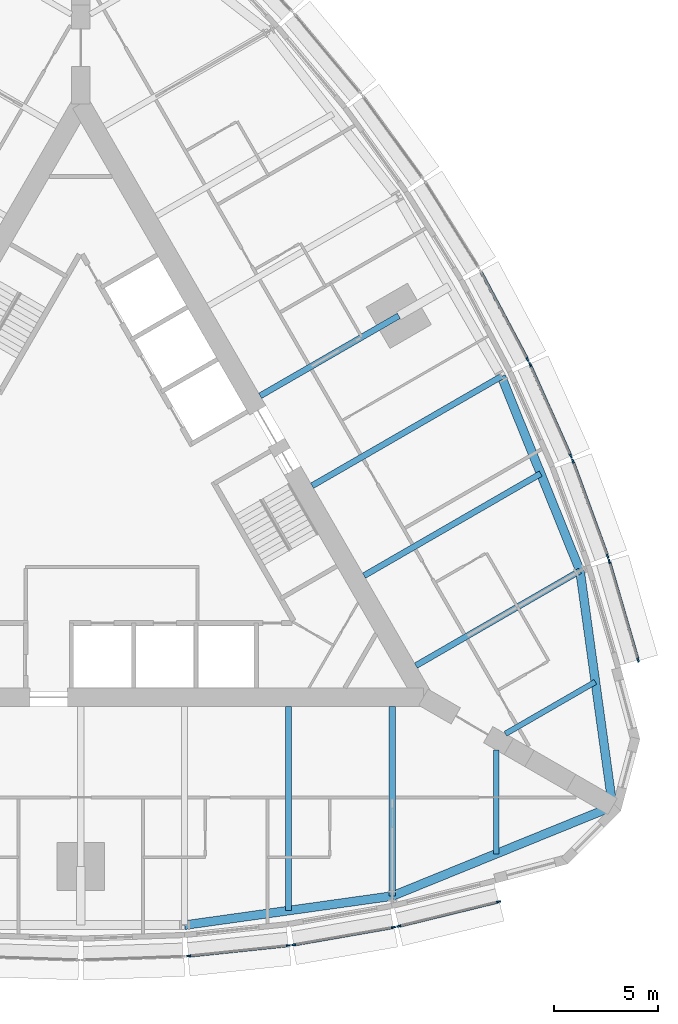
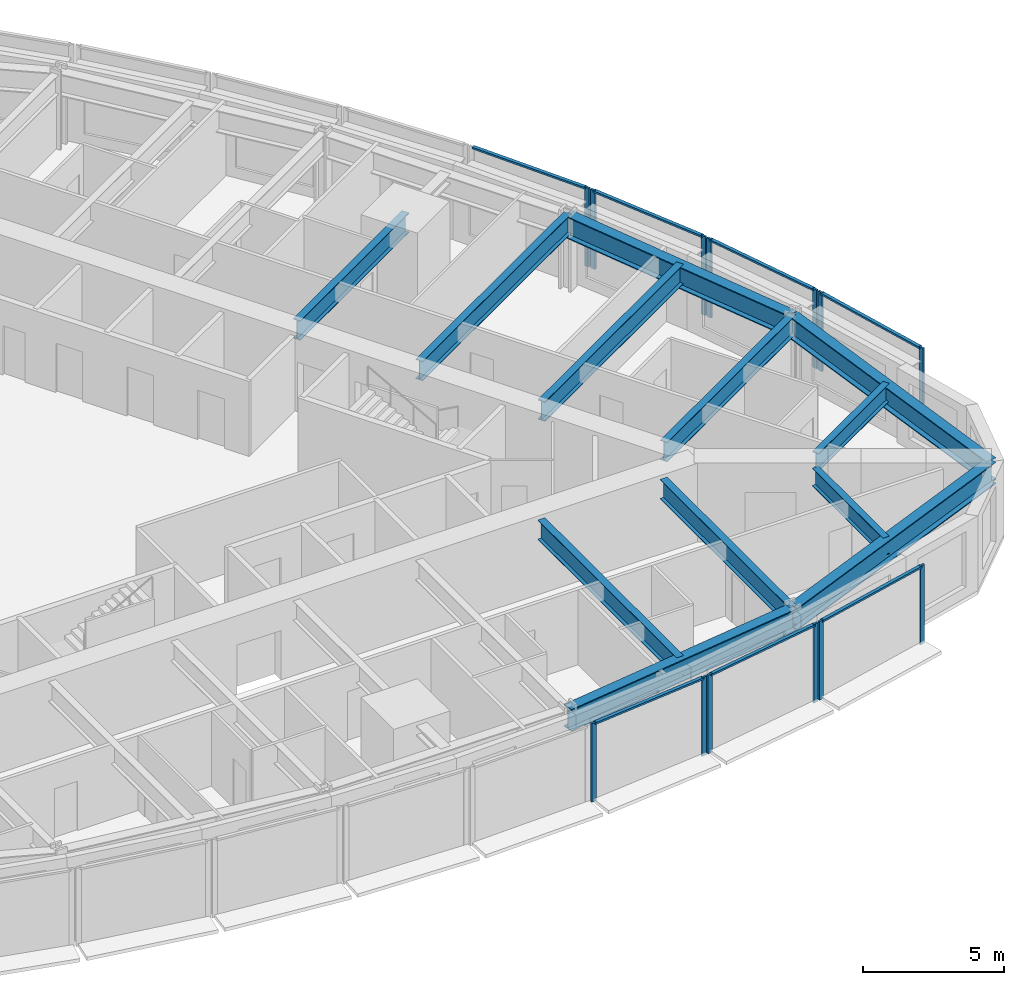
# One storey, part 3 of 14: 20 members, 12 beams, 7 elements without a shape of their own.
"""IFC4 building model written with IfcOpenShell, lengths in metres."""

from ifc_helpers import new_model, si_unit, direction, frame, origin, origin_2d, place, context, subcontext, project, spatial, rectangle, i_section, extrude, material, material_profile, profile_set, type_object, element, aggregate, save


model = new_model("IFC4")

# Units and contexts
model_context = context("Model", 3, precision=1e-05, world=origin(), true_north=direction((0.0, 1.0)))
body_context = subcontext(model_context, "Body", "Model", "MODEL_VIEW")
ifc_project = project(units=[si_unit("LENGTHUNIT", "METRE"), si_unit("AREAUNIT", "SQUARE_METRE"), si_unit("VOLUMEUNIT", "CUBIC_METRE"), si_unit("PLANEANGLEUNIT", "RADIAN"), si_unit("MASSUNIT", "GRAM", prefix="KILO")], contexts=[model_context])

# Site, building, storey
site_placement = place(None, origin())
site = spatial("IfcSite", under=ifc_project, at=site_placement, CompositionType="ELEMENT")
building_placement = place(site_placement, origin())
building = spatial("IfcBuilding", under=site, at=building_placement, Name="Trikona Tower", CompositionType="ELEMENT")
storey_placement = place(building_placement, frame((0.0, 0.0, 165.699951171875)))
storey = spatial("IfcBuildingStorey", under=building, at=storey_placement, Name="L44", CompositionType="ELEMENT", Elevation=165.699951171875)

# Curtain wall, members
ifc_material_1 = material(Name="Aluminium curtain wall system", Category="aluminium")
curtain_wall_type = type_object("IfcCurtainWallType", Name="Curtain wall DS2", PredefinedType="NOTDEFINED", material=ifc_material_1)
curtain_wall_1_placement = place(storey_placement, origin())
curtain_wall_1 = element("IfcCurtainWall", 1, at=curtain_wall_1_placement, inside=storey, type_object=curtain_wall_type, Name="Curtain wall DS2 L44", PredefinedType="NOTDEFINED")
ifc_material_2 = material(Name="Aluminium mullion, pale anodised", Category="aluminium")
ifc_material_profile_1 = material_profile(ifc_material_2, rectangle(XDim=0.080078125, YDim=0.199951171875, at=origin_2d()), Name="MUL-DS2")
ifc_profile_set_1 = profile_set([ifc_material_profile_1], Name="Aluminium mullion, pale anodised")
member_type_1 = type_object("IfcMemberType", Name="Mullion DS2 80x200", PredefinedType="MULLION", material=ifc_profile_set_1)
member_1_placement = place(storey_placement, frame((5.193359375, -21.98486328125, 0.0), z_axis=(0.0, 0.0, 1.0), x_axis=(-0.104433387357, 0.994531883654, 0.0)))
member_1 = element("IfcMember", 2, at=member_1_placement, type_object=member_type_1, Name="CW-DS2 mullion 1", PredefinedType="MULLION", context=body_context, shape_type="SweptSolid", body=[
    extrude(rectangle(XDim=0.080078125, YDim=0.199951171875, at=origin_2d()), origin(), (0.0, 0.0, 1.0), 3.400146484375),
])
member_2_placement = place(storey_placement, frame((9.99462890625, -21.480712890625, 0.0), z_axis=(0.0, 0.0, 1.0), x_axis=(-0.104433387357, 0.994531883654, 0.0)))
member_2 = element("IfcMember", 3, at=member_2_placement, type_object=member_type_1, Name="CW-DS2 mullion 2", PredefinedType="MULLION", context=body_context, shape_type="SweptSolid", body=[
    extrude(rectangle(XDim=0.080078125, YDim=0.199951171875, at=origin_2d()), origin(), (0.0, 0.0, 1.0), 3.400146484375),
])

curtain_wall_2_placement = place(storey_placement, origin())
curtain_wall_2 = element("IfcCurtainWall", 4, at=curtain_wall_2_placement, inside=storey, type_object=curtain_wall_type, Name="Curtain wall DS2 L44", PredefinedType="NOTDEFINED")
member_3_placement = place(storey_placement, frame((10.253662109375, -21.444580078125, 0.0), z_axis=(0.0, 0.0, 1.0), x_axis=(-0.17237739505, 0.985030981074, 0.0)))
member_3 = element("IfcMember", 5, at=member_3_placement, type_object=member_type_1, Name="CW-DS2 mullion 1", PredefinedType="MULLION", context=body_context, shape_type="SweptSolid", body=[
    extrude(rectangle(XDim=0.080078125, YDim=0.199951171875, at=origin_2d()), origin(), (0.0, 0.0, 1.0), 3.400146484375),
])
member_4_placement = place(storey_placement, frame((15.056640625, -20.60400390625, 0.0), z_axis=(0.0, 0.0, 1.0), x_axis=(-0.17237739505, 0.985030981074, 0.0)))
member_4 = element("IfcMember", 6, at=member_4_placement, type_object=member_type_1, Name="CW-DS2 mullion 2", PredefinedType="MULLION", context=body_context, shape_type="SweptSolid", body=[
    extrude(rectangle(XDim=0.080078125, YDim=0.199951171875, at=origin_2d()), origin(), (0.0, 0.0, 1.0), 3.400146484375),
])

curtain_wall_3_placement = place(storey_placement, origin())
curtain_wall_3 = element("IfcCurtainWall", 7, at=curtain_wall_3_placement, inside=storey, type_object=curtain_wall_type, Name="Curtain wall DS2 L44", PredefinedType="NOTDEFINED")
member_5_placement = place(storey_placement, frame((15.311279296875, -20.550537109375, 0.0), z_axis=(0.0, 0.0, 1.0), x_axis=(-0.237970204243, 0.971272455026, 0.0)))
member_5 = element("IfcMember", 8, at=member_5_placement, type_object=member_type_1, Name="CW-DS2 mullion 1", PredefinedType="MULLION", context=body_context, shape_type="SweptSolid", body=[
    extrude(rectangle(XDim=0.080078125, YDim=0.199951171875, at=origin_2d()), origin(), (0.0, 0.0, 1.0), 3.400146484375),
])
member_6_placement = place(storey_placement, frame((20.116943359375, -19.373046875, 0.0), z_axis=(0.0, 0.0, 1.0), x_axis=(-0.237970204243, 0.971272455026, 0.0)))
member_6 = element("IfcMember", 9, at=member_6_placement, type_object=member_type_1, Name="CW-DS2 mullion 2", PredefinedType="MULLION", context=body_context, shape_type="SweptSolid", body=[
    extrude(rectangle(XDim=0.080078125, YDim=0.199951171875, at=origin_2d()), origin(), (0.0, 0.0, 1.0), 3.400146484375),
])

curtain_wall_4_placement = place(storey_placement, origin())
curtain_wall_4 = element("IfcCurtainWall", 10, at=curtain_wall_4_placement, inside=storey, type_object=curtain_wall_type, Name="Curtain wall DS2 L44", PredefinedType="NOTDEFINED")
member_7_placement = place(storey_placement, frame((26.836181640625, -7.7353515625, 0.0), z_axis=(0.0, 0.0, 1.0), x_axis=(-0.96013310152, -0.279543247757, 0.0)))
member_7 = element("IfcMember", 11, at=member_7_placement, type_object=member_type_1, Name="CW-DS2 mullion 1", PredefinedType="MULLION", context=body_context, shape_type="SweptSolid", body=[
    extrude(rectangle(XDim=0.080078125, YDim=0.199951171875, at=origin_2d()), origin(), (0.0, 0.0, 1.0), 3.400146484375),
])
member_8_placement = place(storey_placement, frame((25.452880859375, -2.984619140625, 0.0), z_axis=(0.0, 0.0, 1.0), x_axis=(-0.96013310152, -0.279543247757, 0.0)))
member_8 = element("IfcMember", 12, at=member_8_placement, type_object=member_type_1, Name="CW-DS2 mullion 2", PredefinedType="MULLION", context=body_context, shape_type="SweptSolid", body=[
    extrude(rectangle(XDim=0.080078125, YDim=0.199951171875, at=origin_2d()), origin(), (0.0, 0.0, 1.0), 3.400146484375),
])

curtain_wall_5_placement = place(storey_placement, origin())
curtain_wall_5 = element("IfcCurtainWall", 13, at=curtain_wall_5_placement, inside=storey, type_object=curtain_wall_type, Name="Curtain wall DS2 L44", PredefinedType="NOTDEFINED")
member_9_placement = place(storey_placement, frame((25.371826171875, -2.737548828125, 0.0), z_axis=(0.0, 0.0, 1.0), x_axis=(-0.939253790978, -0.343223420143, 0.0)))
member_9 = element("IfcMember", 14, at=member_9_placement, type_object=member_type_1, Name="CW-DS2 mullion 1", PredefinedType="MULLION", context=body_context, shape_type="SweptSolid", body=[
    extrude(rectangle(XDim=0.080078125, YDim=0.199951171875, at=origin_2d()), origin(), (0.0, 0.0, 1.0), 3.400146484375),
])
member_10_placement = place(storey_placement, frame((23.6982421875, 1.84228515625, 0.0), z_axis=(0.0, 0.0, 1.0), x_axis=(-0.939253790978, -0.343223420143, 0.0)))
member_10 = element("IfcMember", 15, at=member_10_placement, type_object=member_type_1, Name="CW-DS2 mullion 2", PredefinedType="MULLION", context=body_context, shape_type="SweptSolid", body=[
    extrude(rectangle(XDim=0.080078125, YDim=0.199951171875, at=origin_2d()), origin(), (0.0, 0.0, 1.0), 3.400146484375),
])

curtain_wall_6_placement = place(storey_placement, origin())
curtain_wall_6 = element("IfcCurtainWall", 16, at=curtain_wall_6_placement, inside=storey, type_object=curtain_wall_type, Name="Curtain wall DS2 L44", PredefinedType="NOTDEFINED")
member_11_placement = place(storey_placement, frame((23.60009765625, 2.0849609375, 0.0), z_axis=(0.0, 0.0, 1.0), x_axis=(-0.913501208767, -0.406836013132, 0.0)))
member_11 = element("IfcMember", 17, at=member_11_placement, type_object=member_type_1, Name="CW-DS2 mullion 1", PredefinedType="MULLION", context=body_context, shape_type="SweptSolid", body=[
    extrude(rectangle(XDim=0.080078125, YDim=0.199951171875, at=origin_2d()), origin(), (0.0, 0.0, 1.0), 3.400146484375),
])
member_12_placement = place(storey_placement, frame((21.63623046875, 6.494873046875, 0.0), z_axis=(0.0, 0.0, 1.0), x_axis=(-0.913501208767, -0.406836013132, 0.0)))
member_12 = element("IfcMember", 18, at=member_12_placement, type_object=member_type_1, Name="CW-DS2 mullion 2", PredefinedType="MULLION", context=body_context, shape_type="SweptSolid", body=[
    extrude(rectangle(XDim=0.080078125, YDim=0.199951171875, at=origin_2d()), origin(), (0.0, 0.0, 1.0), 3.400146484375),
])

# Curtain wall, member
curtain_wall_7_placement = place(storey_placement, origin())
curtain_wall_7 = element("IfcCurtainWall", 19, at=curtain_wall_7_placement, inside=storey, type_object=curtain_wall_type, Name="Curtain wall DS2 L44", PredefinedType="NOTDEFINED")
member_13_placement = place(storey_placement, frame((21.52099609375, 6.730712890625, 0.0), z_axis=(0.0, 0.0, 1.0), x_axis=(-0.882996107343, -0.469380308937, 0.0)))
member_13 = element("IfcMember", 20, at=member_13_placement, type_object=member_type_1, Name="CW-DS2 mullion 1", PredefinedType="MULLION", context=body_context, shape_type="SweptSolid", body=[
    extrude(rectangle(XDim=0.080078125, YDim=0.199951171875, at=origin_2d()), origin(), (0.0, 0.0, 1.0), 3.400146484375),
])

# Beams
ifc_material_3 = material(Name="Steel ASTM A992 Grade 50", Category="steel")
ifc_material_profile_2 = material_profile(ifc_material_3, i_section(OverallWidth=0.2666015625, OverallDepth=0.76953125, WebThickness=0.015625, FlangeThickness=0.025390625, at=origin_2d()), Name="W30X132")
ifc_profile_set_2 = profile_set([ifc_material_profile_2], Name="Steel ASTM A992 Grade 50")
beam_type_1 = type_object("IfcBeamType", Name="Steel beam W30x132 (wedge)", PredefinedType="BEAM", material=ifc_profile_set_2)
beam_1_placement = place(storey_placement, frame((20.0, -12.066650390625, 2.850341796875), z_axis=(0.0, -1.0, 0.0), x_axis=(1.0, 0.0, 0.0)))
element("IfcBeam", 21, at=beam_1_placement, inside=storey, type_object=beam_type_1, Name="Floor beam L45 F1 u20", PredefinedType="BEAM", context=body_context, shape_type="SweptSolid", body=[
    extrude(i_section(OverallWidth=0.2666015625, OverallDepth=0.76953125, WebThickness=0.015625, FlangeThickness=0.025390625, at=origin_2d()), origin(), (0.0, 0.0, 1.0), 5.00048828125),
])
beam_2_placement = place(storey_placement, frame((20.449951171875, -11.287109375, 2.850341796875), z_axis=(0.866038434829, 0.49997742889, 0.0), x_axis=(-0.49997742889, 0.866038434829, 0.0)))
element("IfcBeam", 22, at=beam_2_placement, inside=storey, type_object=beam_type_1, Name="Floor beam L45 F2 u-20", PredefinedType="BEAM", context=body_context, shape_type="SweptSolid", body=[
    extrude(i_section(OverallWidth=0.2666015625, OverallDepth=0.76953125, WebThickness=0.015625, FlangeThickness=0.025390625, at=origin_2d()), origin(), (0.0, 0.0, 1.0), 5.000732421875),
])
ifc_material_4 = material(Name="Steel ASTM A992 Grade 50", Category="steel")
ifc_material_profile_3 = material_profile(ifc_material_4, i_section(OverallWidth=0.2919921875, OverallDepth=0.845703125, WebThickness=0.015380859375, FlangeThickness=0.0244140625, at=origin_2d()), Name="W33X141")
ifc_profile_set_3 = profile_set([ifc_material_profile_3], Name="Steel ASTM A992 Grade 50")
beam_type_2 = type_object("IfcBeamType", Name="Steel beam W33x141 (radial typ)", PredefinedType="BEAM", material=ifc_profile_set_3)
beam_3_placement = place(storey_placement, frame((10.0, -9.976318359375, 2.812255859375), z_axis=(0.0, -1.0, 0.0), x_axis=(1.0, 0.0, 0.0)))
element("IfcBeam", 23, at=beam_3_placement, inside=storey, type_object=beam_type_2, Name="Floor beam L45 F1 u10", PredefinedType="BEAM", context=body_context, shape_type="SweptSolid", body=[
    extrude(i_section(OverallWidth=0.2919921875, OverallDepth=0.845703125, WebThickness=0.015380859375, FlangeThickness=0.0244140625, at=origin_2d()), origin(), (0.0, 0.0, 1.0), 9.823974609375),
])
beam_4_placement = place(storey_placement, frame((15.0, -9.976318359375, 2.812255859375), z_axis=(0.0, -1.0, 0.0), x_axis=(1.0, 0.0, 0.0)))
element("IfcBeam", 24, at=beam_4_placement, inside=storey, type_object=beam_type_2, Name="Floor beam L45 F1 u15", PredefinedType="BEAM", context=body_context, shape_type="SweptSolid", body=[
    extrude(i_section(OverallWidth=0.2919921875, OverallDepth=0.845703125, WebThickness=0.015380859375, FlangeThickness=0.0244140625, at=origin_2d()), origin(), (0.0, 0.0, 1.0), 9.123779296875),
])
beam_5_placement = place(storey_placement, frame((16.1396484375, -8.002197265625, 2.812255859375), z_axis=(0.866024725532, 0.500001174766, 0.0), x_axis=(-0.500001174766, 0.866024725532, 0.0)))
element("IfcBeam", 25, at=beam_5_placement, inside=storey, type_object=beam_type_2, Name="Floor beam L45 F2 u-15", PredefinedType="BEAM", context=body_context, shape_type="SweptSolid", body=[
    extrude(i_section(OverallWidth=0.2919921875, OverallDepth=0.845703125, WebThickness=0.015380859375, FlangeThickness=0.0244140625, at=origin_2d()), origin(), (0.0, 0.0, 1.0), 9.1240234375),
])
beam_6_placement = place(storey_placement, frame((13.6396484375, -3.672119140625, 2.812255859375), z_axis=(0.866020046725, 0.500009278584, 0.0), x_axis=(-0.500009278584, 0.866020046725, 0.0)))
element("IfcBeam", 26, at=beam_6_placement, inside=storey, type_object=beam_type_2, Name="Floor beam L45 F2 u-10", PredefinedType="BEAM", context=body_context, shape_type="SweptSolid", body=[
    extrude(i_section(OverallWidth=0.2919921875, OverallDepth=0.845703125, WebThickness=0.015380859375, FlangeThickness=0.0244140625, at=origin_2d()), origin(), (0.0, 0.0, 1.0), 9.823974609375),
])
beam_7_placement = place(storey_placement, frame((11.1396484375, 0.657958984375, 2.812255859375), z_axis=(0.866026035623, 0.499998905622, 0.0), x_axis=(-0.499998905622, 0.866026035623, 0.0)))
element("IfcBeam", 27, at=beam_7_placement, inside=storey, type_object=beam_type_2, Name="Floor beam L45 F2 u-5", PredefinedType="BEAM", context=body_context, shape_type="SweptSolid", body=[
    extrude(i_section(OverallWidth=0.2919921875, OverallDepth=0.845703125, WebThickness=0.015380859375, FlangeThickness=0.0244140625, at=origin_2d()), origin(), (0.0, 0.0, 1.0), 10.52392578125),
])
beam_8_placement = place(storey_placement, frame((8.6396484375, 4.988037109375, 2.812255859375), z_axis=(0.866017246294, 0.500014128921, 0.0), x_axis=(-0.500014128921, 0.866017246294, 0.0)))
element("IfcBeam", 28, at=beam_8_placement, inside=storey, type_object=beam_type_2, Name="Floor beam L45 F2 u0", PredefinedType="BEAM", context=body_context, shape_type="SweptSolid", body=[
    extrude(i_section(OverallWidth=0.2919921875, OverallDepth=0.845703125, WebThickness=0.015380859375, FlangeThickness=0.0244140625, at=origin_2d()), origin(), (0.0, 0.0, 1.0), 7.704345703125),
])
ifc_material_5 = material(Name="Steel ASTM A992 Grade 50", Category="steel")
ifc_material_profile_4 = material_profile(ifc_material_5, i_section(OverallWidth=0.424072265625, OverallDepth=0.947509765625, WebThickness=0.02392578125, FlangeThickness=0.042724609375, at=origin_2d()), Name="W36X302")
ifc_profile_set_4 = profile_set([ifc_material_profile_4], Name="Steel ASTM A992 Grade 50")
beam_type_3 = type_object("IfcBeamType", Name="Steel beam W36x302 (spandrel)", PredefinedType="SPANDREL", material=ifc_profile_set_4)
beam_9_placement = place(storey_placement, frame((5.0, -20.500244140625, 2.76123046875), z_axis=(0.990339754644, 0.13866207258, 0.0), x_axis=(-0.13866207258, 0.990339754644, 0.0)))
element("IfcBeam", 29, at=beam_9_placement, inside=storey, type_object=beam_type_3, Name="Spandrel beam L45 F1-4", PredefinedType="SPANDREL", context=body_context, shape_type="SweptSolid", body=[
    extrude(i_section(OverallWidth=0.424072265625, OverallDepth=0.947509765625, WebThickness=0.02392578125, FlangeThickness=0.042724609375, at=origin_2d()), origin(), (0.0, 0.0, 1.0), 10.09765625),
])
for number, where, z_axis, x_axis, name in (
    (30, (15.0, -19.10009765625, 2.76123046875), (0.926359695662, 0.376640032728, 0.0), (-0.376640032728, 0.926359695662, 0.0), "Spandrel beam L45 F1-5"),
    (31, (25.6103515625, -14.7861328125, 2.76123046875), (-0.136991535842, 0.990572218017, 0.0), (-0.990572218017, -0.136991535842, 0.0), "Spandrel beam L45 F2-1"),
):
    element("IfcBeam", number, at=place(storey_placement, frame(where, z_axis=z_axis, x_axis=x_axis)), inside=storey, type_object=beam_type_3, Name=name, PredefinedType="SPANDREL", context=body_context, shape_type="SweptSolid", body=[
        extrude(i_section(OverallWidth=0.424072265625, OverallDepth=0.947509765625, WebThickness=0.02392578125, FlangeThickness=0.042724609375, at=origin_2d()), origin(), (0.0, 0.0, 1.0), 11.453857421875),
    ])
beam_10_placement = place(storey_placement, frame((24.041259765625, -3.440185546875, 2.76123046875), z_axis=(-0.375106193787, 0.926981846307, 0.0), x_axis=(-0.926981846307, -0.375106193787, 0.0)))
element("IfcBeam", 32, at=beam_10_placement, inside=storey, type_object=beam_type_3, Name="Spandrel beam L45 F2-2", PredefinedType="SPANDREL", context=body_context, shape_type="SweptSolid", body=[
    extrude(i_section(OverallWidth=0.424072265625, OverallDepth=0.947509765625, WebThickness=0.02392578125, FlangeThickness=0.042724609375, at=origin_2d()), origin(), (0.0, 0.0, 1.0), 10.097412109375),
])

# Member
ifc_material_6 = material(Name="Aluminium transom, pale anodised", Category="aluminium")
ifc_material_profile_5 = material_profile(ifc_material_6, rectangle(XDim=0.139892578125, YDim=0.080078125, at=origin_2d()), Name="TRN-DS2")
ifc_profile_set_5 = profile_set([ifc_material_profile_5], Name="Aluminium transom, pale anodised")
member_type_2 = type_object("IfcMemberType", Name="Transom DS2 80x140", PredefinedType="USERDEFINED", material=ifc_profile_set_5)
member_14_placement = place(storey_placement, frame((5.233154296875, -21.980712890625, 3.360107421875), z_axis=(0.99453106441, 0.104441188822, 0.0), x_axis=(-0.104441188822, 0.99453106441, 0.0)))
member_14 = element("IfcMember", 33, at=member_14_placement, type_object=member_type_2, Name="CW-DS2 transom 1.1", ObjectType="TRANSOM", PredefinedType="USERDEFINED", context=body_context, shape_type="SweptSolid", body=[
    extrude(rectangle(XDim=0.139892578125, YDim=0.080078125, at=origin_2d()), origin(), (0.0, 0.0, 1.0), 4.74755859375),
])

aggregate(curtain_wall_1, [member_1, member_2, member_14])

member_15_placement = place(storey_placement, frame((10.29296875, -21.4375, 3.360107421875), z_axis=(0.98503262804, 0.172367983387, 0.0), x_axis=(-0.172367983387, 0.98503262804, 0.0)))
member_15 = element("IfcMember", 34, at=member_15_placement, type_object=member_type_2, Name="CW-DS2 transom 1.1", ObjectType="TRANSOM", PredefinedType="USERDEFINED", context=body_context, shape_type="SweptSolid", body=[
    extrude(rectangle(XDim=0.139892578125, YDim=0.080078125, at=origin_2d()), origin(), (0.0, 0.0, 1.0), 4.7958984375),
])

aggregate(curtain_wall_2, [member_3, member_4, member_15])

member_16_placement = place(storey_placement, frame((15.35009765625, -20.541015625, 3.360107421875), z_axis=(0.971270583303, 0.237977843528, 0.0), x_axis=(-0.237977843528, 0.971270583303, 0.0)))
member_16 = element("IfcMember", 35, at=member_16_placement, type_object=member_type_2, Name="CW-DS2 transom 1.1", ObjectType="TRANSOM", PredefinedType="USERDEFINED", context=body_context, shape_type="SweptSolid", body=[
    extrude(rectangle(XDim=0.139892578125, YDim=0.080078125, at=origin_2d()), origin(), (0.0, 0.0, 1.0), 4.867919921875),
])

aggregate(curtain_wall_3, [member_5, member_6, member_16])

member_17_placement = place(storey_placement, frame((26.824951171875, -7.69677734375, 3.360107421875), z_axis=(-0.279566628153, 0.960126293996, 0.0), x_axis=(-0.960126293996, -0.279566628153, 0.0)))
member_17 = element("IfcMember", 36, at=member_17_placement, type_object=member_type_2, Name="CW-DS2 transom 1.1", ObjectType="TRANSOM", PredefinedType="USERDEFINED", context=body_context, shape_type="SweptSolid", body=[
    extrude(rectangle(XDim=0.139892578125, YDim=0.080078125, at=origin_2d()), origin(), (0.0, 0.0, 1.0), 4.86767578125),
])

aggregate(curtain_wall_4, [member_7, member_8, member_17])

member_18_placement = place(storey_placement, frame((25.358154296875, -2.699951171875, 3.360107421875), z_axis=(-0.343205907674, 0.939260190223, 0.0), x_axis=(-0.939260190223, -0.343205907674, 0.0)))
member_18 = element("IfcMember", 37, at=member_18_placement, type_object=member_type_2, Name="CW-DS2 transom 1.1", ObjectType="TRANSOM", PredefinedType="USERDEFINED", context=body_context, shape_type="SweptSolid", body=[
    extrude(rectangle(XDim=0.139892578125, YDim=0.080078125, at=origin_2d()), origin(), (0.0, 0.0, 1.0), 4.7958984375),
])

aggregate(curtain_wall_5, [member_9, member_10, member_18])

member_19_placement = place(storey_placement, frame((23.583740234375, 2.12158203125, 3.360107421875), z_axis=(-0.406839769607, 0.913499535778, 0.0), x_axis=(-0.913499535778, -0.406839769607, 0.0)))
member_19 = element("IfcMember", 38, at=member_19_placement, type_object=member_type_2, Name="CW-DS2 transom 1.1", ObjectType="TRANSOM", PredefinedType="USERDEFINED", context=body_context, shape_type="SweptSolid", body=[
    extrude(rectangle(XDim=0.139892578125, YDim=0.080078125, at=origin_2d()), origin(), (0.0, 0.0, 1.0), 4.747314453125),
])

aggregate(curtain_wall_6, [member_11, member_12, member_19])

member_20_placement = place(storey_placement, frame((21.502197265625, 6.76611328125, 3.360107421875), z_axis=(-0.469364343408, 0.883004594063, 0.0), x_axis=(-0.883004594063, -0.469364343408, 0.0)))
member_20 = element("IfcMember", 39, at=member_20_placement, type_object=member_type_2, Name="CW-DS2 transom 1.1", ObjectType="TRANSOM", PredefinedType="USERDEFINED", context=body_context, shape_type="SweptSolid", body=[
    extrude(rectangle(XDim=0.139892578125, YDim=0.080078125, at=origin_2d()), origin(), (0.0, 0.0, 1.0), 4.722900390625),
])

aggregate(curtain_wall_7, [member_13, member_20])

save(model, "model.ifc")
